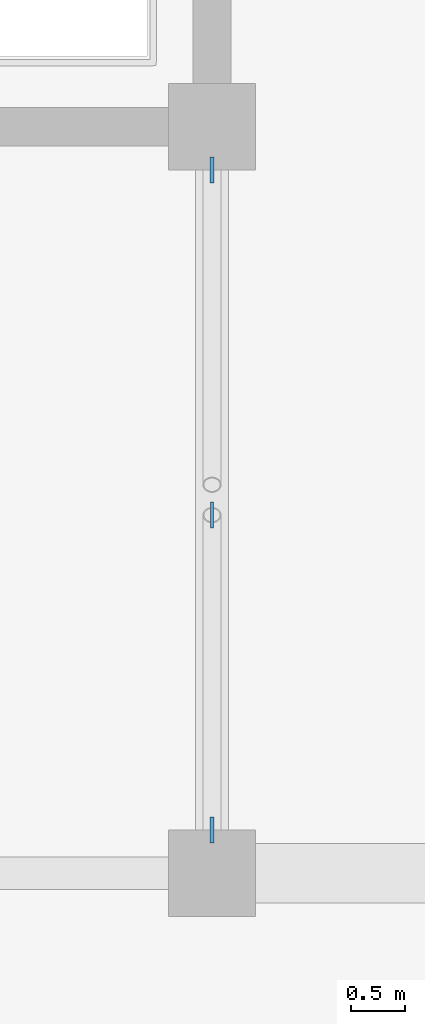
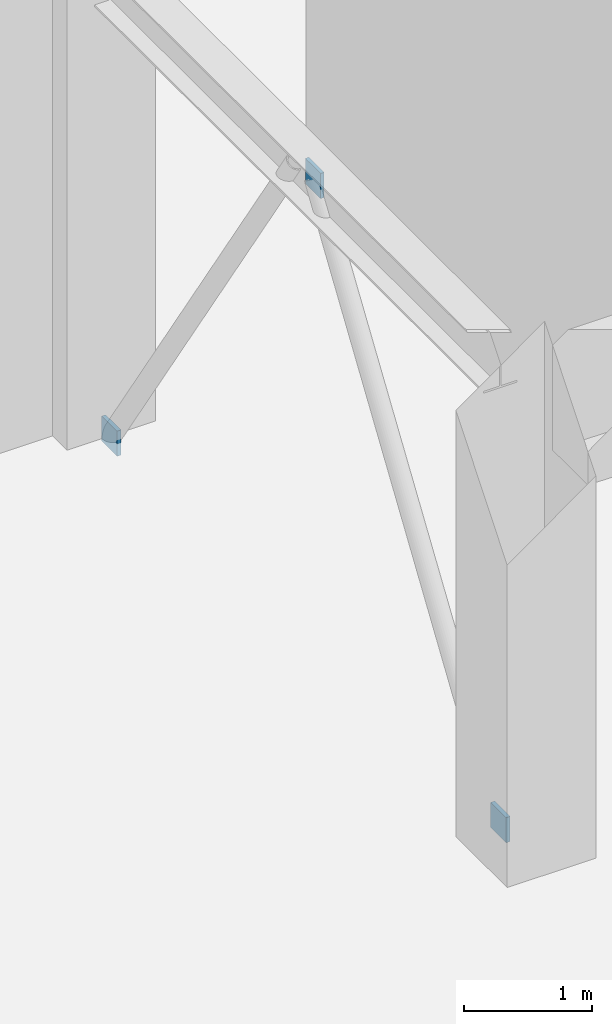
# One storey, part 60 of 91: 3 plates.
"""IFC4 building model written with IfcOpenShell, lengths in metres."""

from ifc_helpers import new_model, si_unit, direction, frame, origin, origin_2d, place, context, subcontext, project, spatial, rectangle, extrude, material, layer, layer_set, type_object, element, save


model = new_model("IFC4")

# Units and contexts
model_context = context("Model", 3, precision=1e-05, world=origin(), true_north=direction((0.0, 1.0)))
body_context = subcontext(model_context, "Body", "Model", "MODEL_VIEW")
ifc_project = project(units=[si_unit("LENGTHUNIT", "METRE"), si_unit("AREAUNIT", "SQUARE_METRE"), si_unit("VOLUMEUNIT", "CUBIC_METRE"), si_unit("PLANEANGLEUNIT", "RADIAN"), si_unit("MASSUNIT", "GRAM", prefix="KILO")], contexts=[model_context])

# Site, building, storey
site_placement = place(None, origin())
site = spatial("IfcSite", under=ifc_project, at=site_placement, CompositionType="ELEMENT")
building_placement = place(site_placement, origin())
building = spatial("IfcBuilding", under=site, at=building_placement, Name="Linyun Crest Stadium", CompositionType="ELEMENT")
storey_placement = place(building_placement, frame((0.0, 0.0, 11.39990234375)))
storey = spatial("IfcBuildingStorey", under=building, at=storey_placement, Name="L03", CompositionType="ELEMENT", Elevation=11.39990234375)

# Plates
ifc_material_1 = material(Name="Steel Q420C", Category="steel")
ifc_layer_1 = layer(ifc_material_1, 0.031982421875)
ifc_layer_set_1 = layer_set([ifc_layer_1], Name="Steel Q420C")
plate_type_1 = type_object("IfcPlateType", Name="EP04", PredefinedType="USERDEFINED", material=ifc_layer_set_1)
plate_placement = place(storey_placement, frame((84.0, -42.701904296875, 4.26220703125), z_axis=(0.0, 0.0, 1.0), x_axis=(0.0, 1.0, 0.0)))
element("IfcPlate", 1, at=plate_placement, inside=storey, type_object=plate_type_1, Name="Hollow section cap end plate EP04 478", ObjectType="END PLATE", PredefinedType="USERDEFINED", context=body_context, shape_type="SweptSolid", body=[
    extrude(rectangle(XDim=0.239990234375, YDim=0.031982421875, at=origin_2d()), origin(), (0.0, 0.0, 1.0), 0.239990234375),
])
ifc_material_2 = material(Name="Steel Q420C", Category="steel")
ifc_layer_2 = layer(ifc_material_2, 0.035888671875)
ifc_layer_set_2 = layer_set([ifc_layer_2], Name="Steel Q420C")
plate_type_2 = type_object("IfcPlateType", Name="NP04", PredefinedType="USERDEFINED", material=ifc_layer_set_2)
for number, where, z_axis, x_axis, name in (
    (2, (84.0, -45.60009765625, -0.1201171875), (0.0, 0.0, 1.0), (0.0, 1.0, 0.0), "Hollow section cap end plate NP04 477"),
    (3, (84.0, -39.52490234375, -0.1201171875), (0.0, 0.0, 1.0), (0.0, 1.0, 0.0), "Hollow section cap end plate NP04 479"),
):
    element("IfcPlate", number, at=place(storey_placement, frame(where, z_axis=z_axis, x_axis=x_axis)), inside=storey, type_object=plate_type_2, Name=name, ObjectType="GUSSET PLATE", PredefinedType="USERDEFINED", context=body_context, shape_type="SweptSolid", body=[
        extrude(rectangle(XDim=0.239990234375, YDim=0.035888671875, at=origin_2d()), origin(), (0.0, 0.0, 1.0), 0.239990234375),
    ])

save(model, "model.ifc")
